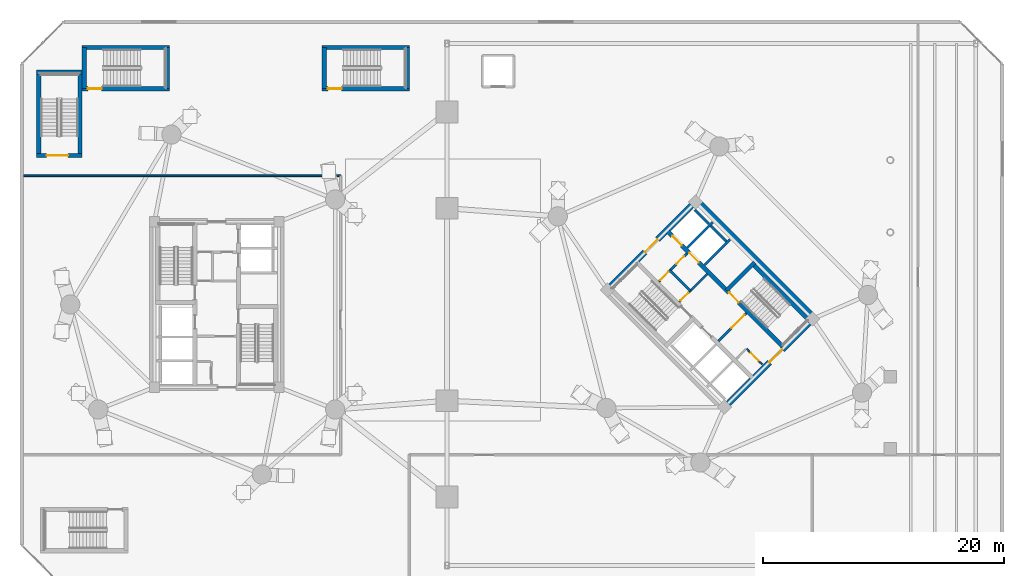
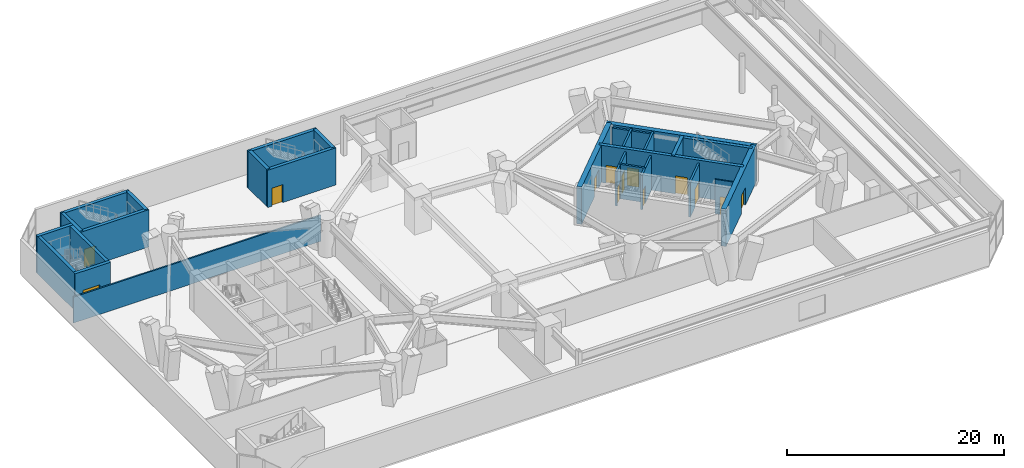
# One storey, part 13 of 20: 28 walls, 13 doors, 13 openings.
"""IFC4 building model written with IfcOpenShell, lengths in metres."""

from ifc_helpers import new_model, si_unit, direction, frame, frame_2d, origin, place, context, subcontext, project, spatial, rectangle, extrude, source, transform, mapped, material, layer, layer_set, type_object, element, fill, save


model = new_model("IFC4")

# Units and contexts
model_context = context("Model", 3, precision=1e-05, world=origin(), true_north=direction((0.0, 1.0)))
body_context = subcontext(model_context, "Body", "Model", "MODEL_VIEW")
ifc_project = project(units=[si_unit("LENGTHUNIT", "METRE"), si_unit("AREAUNIT", "SQUARE_METRE"), si_unit("VOLUMEUNIT", "CUBIC_METRE"), si_unit("PLANEANGLEUNIT", "RADIAN"), si_unit("MASSUNIT", "GRAM", prefix="KILO")], contexts=[model_context])

# Site, building, storey
site_placement = place(None, origin())
site = spatial("IfcSite", under=ifc_project, at=site_placement, CompositionType="ELEMENT")
building_placement = place(site_placement, origin())
building = spatial("IfcBuilding", under=site, at=building_placement, Name="Cununo Teusaquillo Station Towers", CompositionType="ELEMENT")
storey_placement = place(building_placement, frame((0.0, 0.0, 4.800048828125)))
storey = spatial("IfcBuildingStorey", under=building, at=storey_placement, Name="L01", CompositionType="ELEMENT", Elevation=4.800048828125)

# Walls
ifc_material_1 = material(Name="Concrete C50/60", Category="concrete")
ifc_layer_1 = layer(ifc_material_1, 0.199951171875)
ifc_layer_set_1 = layer_set([ifc_layer_1], Name="Concrete C50/60")
wall_type_1 = type_object("IfcWallType", Name="WL-CORE-200", PredefinedType="SHEAR", material=ifc_layer_set_1)
wall_1_placement = place(storey_placement, frame((57.0615234375, 27.781005859375, 0.0), z_axis=(0.0, 0.0, 1.0), x_axis=(0.707106781187, 0.707106781187, 0.0)))
element("IfcWall", 1, at=wall_1_placement, inside=storey, type_object=wall_type_1, Name="L01 Tower B Low-Rise Lift Hoistway South Shear Wall", PredefinedType="SHEAR", context=body_context, shape_type="SweptSolid", body=[
    extrude(rectangle(XDim=2.969970703125, YDim=0.199951171875, at=frame_2d((1.48486328125, 0.0))), origin(), (0.0, 0.0, 1.0), 4.199951171875),
])
wall_2_placement = place(storey_placement, frame((55.615478515625, 29.22705078125, 0.0), z_axis=(0.0, 0.0, 1.0), x_axis=(0.707147878904, 0.70706568108, 0.0)))
element("IfcWall", 2, at=wall_2_placement, inside=storey, type_object=wall_type_1, Name="L01 Tower B Low-Rise Lift Hoistway Divider Shear Wall", PredefinedType="SHEAR", context=body_context, shape_type="SweptSolid", body=[
    extrude(rectangle(XDim=2.97021484375, YDim=0.199951171875, at=frame_2d((1.485107421875, 0.0))), origin(), (0.0, 0.0, 1.0), 4.199951171875),
])
wall_3_placement = place(storey_placement, frame((58.86474609375, 29.75390625, 0.0), z_axis=(0.0, 0.0, 1.0), x_axis=(-0.707174411312, 0.707039144592, 0.0)))
element("IfcWall", 3, at=wall_3_placement, inside=storey, type_object=wall_type_1, Name="L01 Tower B Low-Rise Lift 1 Shaft Rear Shear Wall", PredefinedType="SHEAR", context=body_context, shape_type="SweptSolid", body=[
    extrude(rectangle(XDim=1.804931640625, YDim=0.199951171875, at=frame_2d((0.90234375, 0.0))), origin(), (0.0, 0.0, 1.0), 4.199951171875),
])
wall_4_placement = place(storey_placement, frame((57.418701171875, 31.19970703125, 0.0), z_axis=(0.0, 0.0, 1.0), x_axis=(-0.707032117043, 0.707181437447, 0.0)))
element("IfcWall", 4, at=wall_4_placement, inside=storey, type_object=wall_type_1, Name="L01 Tower B Low-Rise Lift 2 Shaft Rear Shear Wall", PredefinedType="SHEAR", context=body_context, shape_type="SweptSolid", body=[
    extrude(rectangle(XDim=1.635009765625, YDim=0.199951171875, at=frame_2d((0.8173828125, 0.0))), origin(), (0.0, 0.0, 1.0), 4.199951171875),
])

# Wall, opening, door
ifc_material_2 = material(Name="Concrete C50/60", Category="concrete")
ifc_layer_2 = layer(ifc_material_2, 0.35009765625)
ifc_layer_set_2 = layer_set([ifc_layer_2], Name="Concrete C50/60")
wall_type_2 = type_object("IfcWallType", Name="WL-CORE-350", PredefinedType="SHEAR", material=ifc_layer_set_2)
wall_5_placement = place(storey_placement, frame((25.260009765625, 42.43505859375, 0.0), z_axis=(0.0, 0.0, 1.0), x_axis=(1.0, 0.0, 0.0)))
wall_5 = element("IfcWall", 5, at=wall_5_placement, inside=storey, type_object=wall_type_2, Name="L01 Podium North Exit Stair Concrete Shaft Wall S", PredefinedType="SHEAR", context=body_context, shape_type="SweptSolid", body=[
    extrude(rectangle(XDim=7.280029296875, YDim=0.35009765625, at=frame_2d((3.64013671875, 0.0))), origin(), (0.0, 0.0, 1.0), 4.199951171875),
])
shared_shape_1 = source(origin(), body_context, "Body", "SweptSolid", [
    extrude(rectangle(XDim=1.14990234375, YDim=2.02001953125, at=frame_2d((0.574951171875, 1.010009765625))), frame((0.0, 0.18505859375, 0.0), z_axis=(0.0, -1.0, 0.0), x_axis=(1.0, 0.0, 0.0)), (0.0, 0.0, 1.0), 0.3701171875),
])
opening_1_placement = place(wall_5_placement, frame((0.47998046875, 0.0, 0.0)))
opening_1 = element("IfcOpeningElement", 6, at=opening_1_placement, cuts=wall_5, Name="Opening D-ST1", PredefinedType="OPENING", context=body_context, shape_type="MappedRepresentation", body=[
    mapped(shared_shape_1, transform((0.0, 0.0, 0.0), x_axis=(1.0, 0.0, 0.0), y_axis=(0.0, 1.0, 0.0), z_axis=(0.0, 0.0, 1.0), scale=1.0)),
])
ifc_material_3 = material(Name="Galvanised fire-rated hollow steel door assembly", Category="steel")
door_type_1 = type_object("IfcDoorType", Name="DR-STAIR-1150", OperationType="NOTDEFINED", PredefinedType="DOOR", material=ifc_material_3)
shared_shape_2 = source(origin(), body_context, "Body", "SweptSolid", [
    extrude(rectangle(XDim=1.14990234375, YDim=2.02001953125, at=frame_2d((0.574951171875, 1.010009765625))), frame((0.0, 0.02490234375, 0.0), z_axis=(0.0, -1.0, 0.0), x_axis=(1.0, 0.0, 0.0)), (0.0, 0.0, 1.0), 0.050048828125),
])
door_1_placement = place(opening_1_placement, origin())
door_1 = element("IfcDoor", 7, at=door_1_placement, inside=storey, type_object=door_type_1, Name="L01 North Podium Exit Stair Door", OperationType="SINGLE_SWING_LEFT", OverallHeight=2.02001953125, OverallWidth=1.14990234375, PredefinedType="DOOR", context=body_context, shape_type="MappedRepresentation", body=[
    mapped(shared_shape_2, transform((0.0, 0.0, 0.0), x_axis=(1.0, 0.0, 0.0), y_axis=(0.0, 1.0, 0.0), z_axis=(0.0, 0.0, 1.0), scale=1.0)),
])
fill(opening_1, door_1)

# Walls
wall_6_placement = place(storey_placement, frame((25.260009765625, 45.864990234375, 0.0), z_axis=(0.0, 0.0, 1.0), x_axis=(1.0, 0.0, 0.0)))
element("IfcWall", 8, at=wall_6_placement, inside=storey, type_object=wall_type_2, Name="L01 Podium North Exit Stair Concrete Shaft Wall N", PredefinedType="SHEAR", context=body_context, shape_type="SweptSolid", body=[
    extrude(rectangle(XDim=7.280029296875, YDim=0.35009765625, at=frame_2d((3.64013671875, 0.0))), origin(), (0.0, 0.0, 1.0), 4.199951171875),
])
for number, where, z_axis, x_axis, name in (
    (9, (25.43505859375, 42.43505859375, 0.0), (0.0, 0.0, 1.0), (0.0, 1.0, 0.0), "L01 Podium North Exit Stair Concrete Shaft Wall W"),
    (10, (32.364990234375, 42.43505859375, 0.0), (0.0, 0.0, 1.0), (0.0, 1.0, 0.0), "L01 Podium North Exit Stair Concrete Shaft Wall E"),
):
    element("IfcWall", number, at=place(storey_placement, frame(where, z_axis=z_axis, x_axis=x_axis)), inside=storey, type_object=wall_type_2, Name=name, PredefinedType="SHEAR", context=body_context, shape_type="SweptSolid", body=[
        extrude(rectangle(XDim=3.429931640625, YDim=0.35009765625, at=frame_2d((1.71484375, 0.0))), origin(), (0.0, 0.0, 1.0), 4.199951171875),
    ])

# Wall, opening, door
wall_7_placement = place(storey_placement, frame((1.5400390625, 36.885009765625, 0.0), z_axis=(0.0, 0.0, 1.0), x_axis=(1.0, 0.0, 0.0)))
wall_7 = element("IfcWall", 11, at=wall_7_placement, inside=storey, type_object=wall_type_2, Name="L01 Podium West Exit Stair Concrete Shaft Wall S", PredefinedType="SHEAR", context=body_context, shape_type="SweptSolid", body=[
    extrude(rectangle(XDim=3.780029296875, YDim=0.35009765625, at=frame_2d((1.89013671875, 0.0))), origin(), (0.0, 0.0, 1.0), 4.199951171875),
])
shared_shape_3 = source(origin(), body_context, "Body", "SweptSolid", [
    extrude(rectangle(XDim=1.800048828125, YDim=2.050048828125, at=frame_2d((0.89990234375, 1.02490234375))), frame((0.0, 0.18505859375, 0.0), z_axis=(0.0, -1.0, 0.0), x_axis=(1.0, 0.0, 0.0)), (0.0, 0.0, 1.0), 0.3701171875),
])
opening_2_placement = place(wall_7_placement, frame((0.81494140625, 0.0, 0.0)))
opening_2 = element("IfcOpeningElement", 12, at=opening_2_placement, cuts=wall_7, Name="Opening D-BG1", PredefinedType="OPENING", context=body_context, shape_type="MappedRepresentation", body=[
    mapped(shared_shape_3, transform((0.0, 0.0, 0.0), x_axis=(1.0, 0.0, 0.0), y_axis=(0.0, 1.0, 0.0), z_axis=(0.0, 0.0, 1.0), scale=1.0)),
])
ifc_material_4 = material(Name="Galvanised fire-rated hollow steel door assembly", Category="steel")
door_type_2 = type_object("IfcDoorType", Name="DR-BRIDGE-1800", OperationType="DOUBLE_DOOR_SINGLE_SWING", PredefinedType="DOOR", material=ifc_material_4)
shared_shape_4 = source(origin(), body_context, "Body", "SweptSolid", [
    extrude(rectangle(XDim=1.800048828125, YDim=2.050048828125, at=frame_2d((0.89990234375, 1.02490234375))), frame((0.0, 0.02490234375, 0.0), z_axis=(0.0, -1.0, 0.0), x_axis=(1.0, 0.0, 0.0)), (0.0, 0.0, 1.0), 0.050048828125),
])
door_2_placement = place(opening_2_placement, origin())
door_2 = element("IfcDoor", 13, at=door_2_placement, inside=storey, type_object=door_type_2, Name="L01 West Podium Exit Stair Door", OperationType="DOUBLE_DOOR_SINGLE_SWING", OverallHeight=2.050048828125, OverallWidth=1.800048828125, PredefinedType="DOOR", context=body_context, shape_type="MappedRepresentation", body=[
    mapped(shared_shape_4, transform((0.0, 0.0, 0.0), x_axis=(1.0, 0.0, 0.0), y_axis=(0.0, 1.0, 0.0), z_axis=(0.0, 0.0, 1.0), scale=1.0)),
])
fill(opening_2, door_2)

# Walls
wall_8_placement = place(storey_placement, frame((1.5400390625, 43.81494140625, 0.0), z_axis=(0.0, 0.0, 1.0), x_axis=(1.0, 0.0, 0.0)))
element("IfcWall", 14, at=wall_8_placement, inside=storey, type_object=wall_type_2, Name="L01 Podium West Exit Stair Concrete Shaft Wall N", PredefinedType="SHEAR", context=body_context, shape_type="SweptSolid", body=[
    extrude(rectangle(XDim=3.780029296875, YDim=0.35009765625, at=frame_2d((1.89013671875, 0.0))), origin(), (0.0, 0.0, 1.0), 4.199951171875),
])
for number, where, z_axis, x_axis, name in (
    (15, (1.715087890625, 36.885009765625, 0.0), (0.0, 0.0, 1.0), (0.0, 1.0, 0.0), "L01 Podium West Exit Stair Concrete Shaft Wall W"),
    (16, (5.14501953125, 36.885009765625, 0.0), (0.0, 0.0, 1.0), (0.0, 1.0, 0.0), "L01 Podium West Exit Stair Concrete Shaft Wall E"),
):
    element("IfcWall", number, at=place(storey_placement, frame(where, z_axis=z_axis, x_axis=x_axis)), inside=storey, type_object=wall_type_2, Name=name, PredefinedType="SHEAR", context=body_context, shape_type="SweptSolid", body=[
        extrude(rectangle(XDim=6.929931640625, YDim=0.35009765625, at=frame_2d((3.46484375, 0.0))), origin(), (0.0, 0.0, 1.0), 4.199951171875),
    ])

# Wall, opening, door
wall_9_placement = place(storey_placement, frame((5.31005859375, 42.43505859375, 0.0), z_axis=(0.0, 0.0, 1.0), x_axis=(1.0, 0.0, 0.0)))
wall_9 = element("IfcWall", 17, at=wall_9_placement, inside=storey, type_object=wall_type_2, Name="L01 Podium North-West Exit Stair Concrete Shaft Wall S", PredefinedType="SHEAR", context=body_context, shape_type="SweptSolid", body=[
    extrude(rectangle(XDim=7.280029296875, YDim=0.35009765625, at=frame_2d((3.64013671875, 0.0))), origin(), (0.0, 0.0, 1.0), 4.199951171875),
])
opening_3_placement = place(wall_9_placement, frame((0.47998046875, 0.0, 0.0)))
opening_3 = element("IfcOpeningElement", 18, at=opening_3_placement, cuts=wall_9, Name="Opening D-ST1", PredefinedType="OPENING", context=body_context, shape_type="MappedRepresentation", body=[
    mapped(shared_shape_1, transform((0.0, 0.0, 0.0), x_axis=(1.0, 0.0, 0.0), y_axis=(0.0, 1.0, 0.0), z_axis=(0.0, 0.0, 1.0), scale=1.0)),
])
door_3_placement = place(opening_3_placement, origin())
door_3 = element("IfcDoor", 19, at=door_3_placement, inside=storey, type_object=door_type_1, Name="L01 North-West Podium Exit Stair Door", OperationType="SINGLE_SWING_LEFT", OverallHeight=2.02001953125, OverallWidth=1.14990234375, PredefinedType="DOOR", context=body_context, shape_type="MappedRepresentation", body=[
    mapped(shared_shape_2, transform((0.0, 0.0, 0.0), x_axis=(1.0, 0.0, 0.0), y_axis=(0.0, 1.0, 0.0), z_axis=(0.0, 0.0, 1.0), scale=1.0)),
])
fill(opening_3, door_3)

# Walls
wall_10_placement = place(storey_placement, frame((5.31005859375, 45.864990234375, 0.0), z_axis=(0.0, 0.0, 1.0), x_axis=(1.0, 0.0, 0.0)))
element("IfcWall", 20, at=wall_10_placement, inside=storey, type_object=wall_type_2, Name="L01 Podium North-West Exit Stair Concrete Shaft Wall N", PredefinedType="SHEAR", context=body_context, shape_type="SweptSolid", body=[
    extrude(rectangle(XDim=7.280029296875, YDim=0.35009765625, at=frame_2d((3.64013671875, 0.0))), origin(), (0.0, 0.0, 1.0), 4.199951171875),
])
for number, where, z_axis, x_axis, name in (
    (21, (5.485107421875, 42.43505859375, 0.0), (0.0, 0.0, 1.0), (0.0, 1.0, 0.0), "L01 Podium North-West Exit Stair Concrete Shaft Wall W"),
    (22, (12.4150390625, 42.43505859375, 0.0), (0.0, 0.0, 1.0), (0.0, 1.0, 0.0), "L01 Podium North-West Exit Stair Concrete Shaft Wall E"),
):
    element("IfcWall", number, at=place(storey_placement, frame(where, z_axis=z_axis, x_axis=x_axis)), inside=storey, type_object=wall_type_2, Name=name, PredefinedType="SHEAR", context=body_context, shape_type="SweptSolid", body=[
        extrude(rectangle(XDim=3.429931640625, YDim=0.35009765625, at=frame_2d((1.71484375, 0.0))), origin(), (0.0, 0.0, 1.0), 4.199951171875),
    ])

# Wall, openings, doors
wall_11_placement = place(storey_placement, frame((63.662353515625, 20.904296875, 0.0), z_axis=(0.0, 0.0, 1.0), x_axis=(-0.707106781187, 0.707106781187, 0.0)))
wall_11 = element("IfcWall", 23, at=wall_11_placement, inside=storey, type_object=wall_type_2, Name="L01 Tower B Core Shear Wall IE", PredefinedType="SHEAR", context=body_context, shape_type="SweptSolid", body=[
    extrude(rectangle(XDim=13.800048828125, YDim=0.35009765625, at=frame_2d((6.89990234375, 0.0))), origin(), (0.0, 0.0, 1.0), 4.199951171875),
])
shared_shape_5 = source(origin(), body_context, "Body", "SweptSolid", [
    extrude(rectangle(XDim=1.10009765625, YDim=2.014892578125, at=frame_2d((0.550048828125, 1.00732421875))), frame((0.0, 0.18505859375, 0.0), z_axis=(0.0, -1.0, 0.0), x_axis=(1.0, 0.0, 0.0)), (0.0, 0.0, 1.0), 0.3701171875),
])
opening_4_placement = place(wall_11_placement, frame((10.02490234375, 0.0, 0.0)))
opening_4 = element("IfcOpeningElement", 24, at=opening_4_placement, cuts=wall_11, Name="Opening LD-01", PredefinedType="OPENING", context=body_context, shape_type="MappedRepresentation", body=[
    mapped(shared_shape_5, transform((0.0, 0.0, 0.0), x_axis=(1.0, 0.0, 0.0), y_axis=(0.0, 1.0, 0.0), z_axis=(0.0, 0.0, 1.0), scale=1.0)),
])
opening_5_placement = place(wall_11_placement, frame((12.02490234375, 0.0, 0.0)))
opening_5 = element("IfcOpeningElement", 25, at=opening_5_placement, cuts=wall_11, Name="Opening LD-01", PredefinedType="OPENING", context=body_context, shape_type="MappedRepresentation", body=[
    mapped(shared_shape_5, transform((0.0, 0.0, 0.0), x_axis=(1.0, 0.0, 0.0), y_axis=(0.0, 1.0, 0.0), z_axis=(0.0, 0.0, 1.0), scale=1.0)),
])
opening_6_placement = place(wall_11_placement, frame((5.330078125, 0.0, 0.0)))
opening_6 = element("IfcOpeningElement", 26, at=opening_6_placement, cuts=wall_11, Name="Opening D-ST1", PredefinedType="OPENING", context=body_context, shape_type="MappedRepresentation", body=[
    mapped(shared_shape_1, transform((0.0, 0.0, 0.0), x_axis=(1.0, 0.0, 0.0), y_axis=(0.0, 1.0, 0.0), z_axis=(0.0, 0.0, 1.0), scale=1.0)),
])
ifc_material_5 = material(Name="Galvanised fire-rated hollow steel door assembly", Category="steel")
door_type_3 = type_object("IfcDoorType", Name="DR-LIFT-1100", OperationType="SLIDING_TO_LEFT", PredefinedType="DOOR", material=ifc_material_5)
shared_shape_6 = source(origin(), body_context, "Body", "SweptSolid", [
    extrude(rectangle(XDim=1.10009765625, YDim=2.014892578125, at=frame_2d((0.550048828125, 1.00732421875))), frame((0.0, 0.02490234375, 0.0), z_axis=(0.0, -1.0, 0.0), x_axis=(1.0, 0.0, 0.0)), (0.0, 0.0, 1.0), 0.050048828125),
])
door_4_placement = place(opening_4_placement, origin())
door_4 = element("IfcDoor", 27, at=door_4_placement, inside=storey, type_object=door_type_3, Name="L01 Lift PL-T2-L1 Sliding Landing Door", OperationType="SLIDING_TO_RIGHT", OverallHeight=2.014892578125, OverallWidth=1.10009765625, PredefinedType="DOOR", context=body_context, shape_type="MappedRepresentation", body=[
    mapped(shared_shape_6, transform((0.0, 0.0, 0.0), x_axis=(1.0, 0.0, 0.0), y_axis=(0.0, 1.0, 0.0), z_axis=(0.0, 0.0, 1.0), scale=1.0)),
])
fill(opening_4, door_4)
door_5_placement = place(opening_5_placement, origin())
door_5 = element("IfcDoor", 28, at=door_5_placement, inside=storey, type_object=door_type_3, Name="L01 Lift PL-T2-L2 Sliding Landing Door", OperationType="SLIDING_TO_LEFT", OverallHeight=2.014892578125, OverallWidth=1.10009765625, PredefinedType="DOOR", context=body_context, shape_type="MappedRepresentation", body=[
    mapped(shared_shape_6, transform((0.0, 0.0, 0.0), x_axis=(1.0, 0.0, 0.0), y_axis=(0.0, 1.0, 0.0), z_axis=(0.0, 0.0, 1.0), scale=1.0)),
])
fill(opening_5, door_5)
door_6_placement = place(opening_6_placement, origin())
door_6 = element("IfcDoor", 29, at=door_6_placement, inside=storey, type_object=door_type_1, Name="L01 Tower B Exit Stair 2 Fire Door", OperationType="SINGLE_SWING_RIGHT", OverallHeight=2.02001953125, OverallWidth=1.14990234375, PredefinedType="DOOR", context=body_context, shape_type="MappedRepresentation", body=[
    mapped(shared_shape_2, transform((0.0, 0.0, 0.0), x_axis=(1.0, 0.0, 0.0), y_axis=(0.0, 1.0, 0.0), z_axis=(0.0, 0.0, 1.0), scale=1.0)),
])
fill(opening_6, door_6)

# Walls
wall_12_placement = place(storey_placement, frame((65.847412109375, 23.08935546875, 0.0), z_axis=(0.0, 0.0, 1.0), x_axis=(-0.707106781187, 0.707106781187, 0.0)))
element("IfcWall", 30, at=wall_12_placement, inside=storey, type_object=wall_type_2, Name="L01 Tower B Core Shear Wall ST2E", PredefinedType="SHEAR", context=body_context, shape_type="SweptSolid", body=[
    extrude(rectangle(XDim=6.7451171875, YDim=0.35009765625, at=frame_2d((3.37255859375, 0.0))), origin(), (0.0, 0.0, 1.0), 4.199951171875),
])
wall_13_placement = place(storey_placement, frame((58.89306640625, 25.673828125, 0.0), z_axis=(0.0, 0.0, 1.0), x_axis=(0.707106781187, 0.707106781187, 0.0)))
element("IfcWall", 31, at=wall_13_placement, inside=storey, type_object=wall_type_2, Name="L01 Tower B Core Shear Wall ST2N", PredefinedType="SHEAR", context=body_context, shape_type="SweptSolid", body=[
    extrude(rectangle(XDim=3.284912109375, YDim=0.35009765625, at=frame_2d((1.642578125, 0.0))), origin(), (0.0, 0.0, 1.0), 4.199951171875),
])
ifc_material_6 = material(Name="Concrete C60/75", Category="concrete")
ifc_layer_3 = layer(ifc_material_6, 0.5)
ifc_layer_set_3 = layer_set([ifc_layer_3], Name="Concrete C60/75")
wall_type_3 = type_object("IfcWallType", Name="WL-CORE-500", PredefinedType="SHEAR", material=ifc_layer_set_3)
wall_14_placement = place(storey_placement, frame((66.3388671875, 23.227294921875, 0.0), z_axis=(0.0, 0.0, 1.0), x_axis=(-0.707106781187, 0.707106781187, 0.0)))
element("IfcWall", 32, at=wall_14_placement, inside=storey, type_object=wall_type_3, Name="L01 Tower B Core Shear Wall E", PredefinedType="SHEAR", context=body_context, shape_type="SweptSolid", body=[
    extrude(rectangle(XDim=14.2998046875, YDim=0.5, at=frame_2d((7.14990234375, 0.0))), origin(), (0.0, 0.0, 1.0), 4.199951171875),
])

# Wall, opening, door
wall_15_placement = place(storey_placement, frame((58.595947265625, 15.837890625, 0.0), z_axis=(0.0, 0.0, 1.0), x_axis=(0.707106781187, 0.707106781187, 0.0)))
wall_15 = element("IfcWall", 33, at=wall_15_placement, inside=storey, type_object=wall_type_3, Name="L01 Tower B Core Shear Wall S", PredefinedType="SHEAR", context=body_context, shape_type="SweptSolid", body=[
    extrude(rectangle(XDim=10.7001953125, YDim=0.5, at=frame_2d((5.35009765625, 0.0))), origin(), (0.0, 0.0, 1.0), 4.199951171875),
])
shared_shape_7 = source(origin(), body_context, "Body", "SweptSolid", [
    extrude(rectangle(XDim=1.5, YDim=2.02001953125, at=frame_2d((0.75, 1.010009765625))), frame((0.0, 0.260009765625, 0.0), z_axis=(0.0, -1.0, 0.0), x_axis=(1.0, 0.0, 0.0)), (0.0, 0.0, 1.0), 0.52001953125),
])
opening_7_placement = place(wall_15_placement, frame((5.449951171875, 0.0, 0.0)))
opening_7 = element("IfcOpeningElement", 34, at=opening_7_placement, cuts=wall_15, Name="Opening D-LB1", PredefinedType="OPENING", context=body_context, shape_type="MappedRepresentation", body=[
    mapped(shared_shape_7, transform((0.0, 0.0, 0.0), x_axis=(1.0, 0.0, 0.0), y_axis=(0.0, 1.0, 0.0), z_axis=(0.0, 0.0, 1.0), scale=1.0)),
])
ifc_material_7 = material(Name="Galvanised fire-rated hollow steel door assembly", Category="steel")
door_type_4 = type_object("IfcDoorType", Name="DR-LOBBY-1500", OperationType="DOUBLE_DOOR_SINGLE_SWING", PredefinedType="DOOR", material=ifc_material_7)
shared_shape_8 = source(origin(), body_context, "Body", "SweptSolid", [
    extrude(rectangle(XDim=1.5, YDim=2.02001953125, at=frame_2d((0.75, 1.010009765625))), frame((0.0, 0.02490234375, 0.0), z_axis=(0.0, -1.0, 0.0), x_axis=(1.0, 0.0, 0.0)), (0.0, 0.0, 1.0), 0.050048828125),
])
door_7_placement = place(opening_7_placement, origin())
door_7 = element("IfcDoor", 35, at=door_7_placement, inside=storey, type_object=door_type_4, Name="L01 Tower B South Core Lift Lobby Door", OperationType="DOUBLE_DOOR_SINGLE_SWING", OverallHeight=2.02001953125, OverallWidth=1.5, PredefinedType="DOOR", context=body_context, shape_type="MappedRepresentation", body=[
    mapped(shared_shape_8, transform((0.0, 0.0, 0.0), x_axis=(1.0, 0.0, 0.0), y_axis=(0.0, 1.0, 0.0), z_axis=(0.0, 0.0, 1.0), scale=1.0)),
])
fill(opening_7, door_7)

wall_16_placement = place(storey_placement, frame((48.837890625, 25.595947265625, 0.0), z_axis=(0.0, 0.0, 1.0), x_axis=(0.707106781187, 0.707106781187, 0.0)))
wall_16 = element("IfcWall", 36, at=wall_16_placement, inside=storey, type_object=wall_type_3, Name="L01 Tower B Core Shear Wall N", PredefinedType="SHEAR", context=body_context, shape_type="SweptSolid", body=[
    extrude(rectangle(XDim=10.7001953125, YDim=0.5, at=frame_2d((5.35009765625, 0.0))), origin(), (0.0, 0.0, 1.0), 4.199951171875),
])
opening_8_placement = place(wall_16_placement, frame((4.60009765625, 0.0, 0.0)))
opening_8 = element("IfcOpeningElement", 37, at=opening_8_placement, cuts=wall_16, Name="Opening D-LB1", PredefinedType="OPENING", context=body_context, shape_type="MappedRepresentation", body=[
    mapped(shared_shape_7, transform((0.0, 0.0, 0.0), x_axis=(1.0, 0.0, 0.0), y_axis=(0.0, 1.0, 0.0), z_axis=(0.0, 0.0, 1.0), scale=1.0)),
])
door_8_placement = place(opening_8_placement, origin())
door_8 = element("IfcDoor", 38, at=door_8_placement, inside=storey, type_object=door_type_4, Name="L01 Tower B North Core Lift Lobby Door", OperationType="DOUBLE_DOOR_SINGLE_SWING", OverallHeight=2.02001953125, OverallWidth=1.5, PredefinedType="DOOR", context=body_context, shape_type="MappedRepresentation", body=[
    mapped(shared_shape_8, transform((0.0, 0.0, 0.0), x_axis=(1.0, 0.0, 0.0), y_axis=(0.0, 1.0, 0.0), z_axis=(0.0, 0.0, 1.0), scale=1.0)),
])
fill(opening_8, door_8)

ifc_material_8 = material(Name="Fire-rated gypsum plasterboard partition assembly", Category="gypsum")
ifc_layer_4 = layer(ifc_material_8, 0.125)
ifc_layer_set_4 = layer_set([ifc_layer_4], Name="Fire-rated gypsum plasterboard partition assembly")
wall_type_4 = type_object("IfcWallType", Name="WL-PART-125", PredefinedType="PARTITIONING", material=ifc_layer_set_4)
wall_17_placement = place(storey_placement, frame((61.834716796875, 19.529052734375, 0.0), z_axis=(0.0, 0.0, 1.0), x_axis=(-0.707174592913, 0.707038962956, 0.0)))
wall_17 = element("IfcWall", 39, at=wall_17_placement, inside=storey, type_object=wall_type_4, Name="L01 Tower B South-West Compact Store East Wall", PredefinedType="PARTITIONING", context=body_context, shape_type="SweptSolid", body=[
    extrude(rectangle(XDim=1.800048828125, YDim=0.125, at=frame_2d((0.89990234375, 0.0))), origin(), (0.0, 0.0, 1.0), 3.885009765625),
])
shared_shape_9 = source(origin(), body_context, "Body", "SweptSolid", [
    extrude(rectangle(XDim=0.89990234375, YDim=2.0048828125, at=frame_2d((0.449951171875, 1.00244140625))), frame((0.0, 0.072509765625, 0.0), z_axis=(0.0, -1.0, 0.0), x_axis=(1.0, 0.0, 0.0)), (0.0, 0.0, 1.0), 0.14501953125),
])
opening_9_placement = place(wall_17_placement, frame((0.419921875, 0.0, 0.0)))
opening_9 = element("IfcOpeningElement", 40, at=opening_9_placement, cuts=wall_17, Name="Opening D-SR1", PredefinedType="OPENING", context=body_context, shape_type="MappedRepresentation", body=[
    mapped(shared_shape_9, transform((0.0, 0.0, 0.0), x_axis=(1.0, 0.0, 0.0), y_axis=(0.0, 1.0, 0.0), z_axis=(0.0, 0.0, 1.0), scale=1.0)),
])
ifc_material_9 = material(Name="Galvanised fire-rated hollow steel door assembly", Category="steel")
door_type_5 = type_object("IfcDoorType", Name="DR-STORE-900", OperationType="NOTDEFINED", PredefinedType="DOOR", material=ifc_material_9)
shared_shape_10 = source(origin(), body_context, "Body", "SweptSolid", [
    extrude(rectangle(XDim=0.89990234375, YDim=2.0048828125, at=frame_2d((0.449951171875, 1.00244140625))), frame((0.0, 0.02490234375, 0.0), z_axis=(0.0, -1.0, 0.0), x_axis=(1.0, 0.0, 0.0)), (0.0, 0.0, 1.0), 0.050048828125),
])
door_9_placement = place(opening_9_placement, origin())
door_9 = element("IfcDoor", 41, at=door_9_placement, inside=storey, type_object=door_type_5, Name="L01 Tower B Core Electrical & Comms Store Door", OperationType="SINGLE_SWING_LEFT", OverallHeight=2.0048828125, OverallWidth=0.89990234375, PredefinedType="DOOR", context=body_context, shape_type="MappedRepresentation", body=[
    mapped(shared_shape_10, transform((0.0, 0.0, 0.0), x_axis=(1.0, 0.0, 0.0), y_axis=(0.0, 1.0, 0.0), z_axis=(0.0, 0.0, 1.0), scale=1.0)),
])
fill(opening_9, door_9)

# Wall
ifc_material_10 = material(Name="Fire-rated gypsum plasterboard partition assembly", Category="gypsum")
ifc_layer_5 = layer(ifc_material_10, 0.159912109375)
ifc_layer_set_5 = layer_set([ifc_layer_5], Name="Fire-rated gypsum plasterboard partition assembly")
wall_type_5 = type_object("IfcWallType", Name="WL-PART-160", PredefinedType="PARTITIONING", material=ifc_layer_set_5)
wall_18_placement = place(storey_placement, frame((0.449951171875, 35.199951171875, 0.0), z_axis=(0.0, 0.0, 1.0), x_axis=(1.0, 0.0, 0.0)))
element("IfcWall", 42, at=wall_18_placement, inside=storey, type_object=wall_type_5, Name="L01 West Wing North Wall", PredefinedType="PARTITIONING", context=body_context, shape_type="SweptSolid", body=[
    extrude(rectangle(XDim=26.35009765625, YDim=0.159912109375, at=frame_2d((13.175048828125, 0.0))), origin(), (0.0, 0.0, 1.0), 2.928955078125),
])

# Wall, opening, door
ifc_material_11 = material(Name="Fire-rated gypsum plasterboard partition assembly", Category="gypsum")
ifc_layer_6 = layer(ifc_material_11, 0.199951171875)
ifc_layer_set_6 = layer_set([ifc_layer_6], Name="Fire-rated gypsum plasterboard partition assembly")
wall_type_6 = type_object("IfcWallType", Name="WL-PART-200", PredefinedType="PARTITIONING", material=ifc_layer_set_6)
wall_19_placement = place(storey_placement, frame((58.214111328125, 21.466552734375, 0.0), z_axis=(0.0, 0.0, 1.0), x_axis=(0.707106781187, 0.707106781187, 0.0)))
wall_19 = element("IfcWall", 43, at=wall_19_placement, inside=storey, type_object=wall_type_6, Name="L01 Tower B Firefighting Lift Lobby South Fire Wall", PredefinedType="PARTITIONING", context=body_context, shape_type="SweptSolid", body=[
    extrude(rectangle(XDim=3.280029296875, YDim=0.199951171875, at=frame_2d((1.64013671875, 0.0))), origin(), (0.0, 0.0, 1.0), 3.885009765625),
])
shared_shape_11 = source(origin(), body_context, "Body", "SweptSolid", [
    extrude(rectangle(XDim=1.5, YDim=2.02001953125, at=frame_2d((0.75, 1.010009765625))), frame((0.0, 0.10986328125, 0.0), z_axis=(0.0, -1.0, 0.0), x_axis=(1.0, 0.0, 0.0)), (0.0, 0.0, 1.0), 0.219970703125),
])
opening_10_placement = place(wall_19_placement, frame((1.550048828125, 0.0, 0.0)))
opening_10 = element("IfcOpeningElement", 44, at=opening_10_placement, cuts=wall_19, Name="Opening D-LB1", PredefinedType="OPENING", context=body_context, shape_type="MappedRepresentation", body=[
    mapped(shared_shape_11, transform((0.0, 0.0, 0.0), x_axis=(1.0, 0.0, 0.0), y_axis=(0.0, 1.0, 0.0), z_axis=(0.0, 0.0, 1.0), scale=1.0)),
])
door_10_placement = place(opening_10_placement, origin())
door_10 = element("IfcDoor", 45, at=door_10_placement, inside=storey, type_object=door_type_4, Name="L01 Tower B Firefighting Lift Lobby South Fire Door", OperationType="DOUBLE_DOOR_SINGLE_SWING", OverallHeight=2.02001953125, OverallWidth=1.5, PredefinedType="DOOR", context=body_context, shape_type="MappedRepresentation", body=[
    mapped(shared_shape_8, transform((0.0, 0.0, 0.0), x_axis=(1.0, 0.0, 0.0), y_axis=(0.0, 1.0, 0.0), z_axis=(0.0, 0.0, 1.0), scale=1.0)),
])
fill(opening_10, door_10)

wall_20_placement = place(storey_placement, frame((54.96142578125, 24.71923828125, 0.0), z_axis=(0.0, 0.0, 1.0), x_axis=(0.707106781187, 0.707106781187, 0.0)))
wall_20 = element("IfcWall", 46, at=wall_20_placement, inside=storey, type_object=wall_type_6, Name="L01 Tower B Firefighting Lift Lobby North Fire Wall", PredefinedType="PARTITIONING", context=body_context, shape_type="SweptSolid", body=[
    extrude(rectangle(XDim=3.280029296875, YDim=0.199951171875, at=frame_2d((1.64013671875, 0.0))), origin(), (0.0, 0.0, 1.0), 3.885009765625),
])
shared_shape_12 = source(origin(), body_context, "Body", "SweptSolid", [
    extrude(rectangle(XDim=0.89990234375, YDim=2.0048828125, at=frame_2d((0.449951171875, 1.00244140625))), frame((0.0, 0.10986328125, 0.0), z_axis=(0.0, -1.0, 0.0), x_axis=(1.0, 0.0, 0.0)), (0.0, 0.0, 1.0), 0.219970703125),
])
opening_11_placement = place(wall_20_placement, frame((0.159912109375, 0.0, 0.0)))
opening_11 = element("IfcOpeningElement", 47, at=opening_11_placement, cuts=wall_20, Name="Opening D-SR1", PredefinedType="OPENING", context=body_context, shape_type="MappedRepresentation", body=[
    mapped(shared_shape_12, transform((0.0, 0.0, 0.0), x_axis=(1.0, 0.0, 0.0), y_axis=(0.0, 1.0, 0.0), z_axis=(0.0, 0.0, 1.0), scale=1.0)),
])
door_11_placement = place(opening_11_placement, origin())
door_11 = element("IfcDoor", 48, at=door_11_placement, inside=storey, type_object=door_type_5, Name="L01 Tower B Stair 1 Protected Vestibule South Door", OperationType="SINGLE_SWING_LEFT", OverallHeight=2.0048828125, OverallWidth=0.89990234375, PredefinedType="DOOR", context=body_context, shape_type="MappedRepresentation", body=[
    mapped(shared_shape_10, transform((0.0, 0.0, 0.0), x_axis=(1.0, 0.0, 0.0), y_axis=(0.0, 1.0, 0.0), z_axis=(0.0, 0.0, 1.0), scale=1.0)),
])
fill(opening_11, door_11)

# Wall
wall_21_placement = place(storey_placement, frame((55.873779296875, 25.63134765625, 0.0), z_axis=(0.0, 0.0, 1.0), x_axis=(-0.707157639372, 0.707055919343, 0.0)))
element("IfcWall", 49, at=wall_21_placement, inside=storey, type_object=wall_type_6, Name="L01 Tower B Stair 1 Vestibule Partition Wall", PredefinedType="PARTITIONING", context=body_context, shape_type="SweptSolid", body=[
    extrude(rectangle(XDim=2.400146484375, YDim=0.199951171875, at=frame_2d((1.2001953125, 0.0))), origin(), (0.0, 0.0, 1.0), 3.885009765625),
])

# Wall, openings, doors
wall_22_placement = place(storey_placement, frame((53.264404296875, 26.416259765625, 0.0), z_axis=(0.0, 0.0, 1.0), x_axis=(0.707106781187, 0.707106781187, 0.0)))
wall_22 = element("IfcWall", 50, at=wall_22_placement, inside=storey, type_object=wall_type_6, Name="L01 Tower B North Lift Lobby South Fire Wall", PredefinedType="PARTITIONING", context=body_context, shape_type="SweptSolid", body=[
    extrude(rectangle(XDim=3.280029296875, YDim=0.199951171875, at=frame_2d((1.64013671875, 0.0))), origin(), (0.0, 0.0, 1.0), 3.885009765625),
])
shared_shape_13 = source(origin(), body_context, "Body", "SweptSolid", [
    extrude(rectangle(XDim=1.0, YDim=2.014892578125, at=frame_2d((0.5, 1.00732421875))), frame((0.0, 0.10986328125, 0.0), z_axis=(0.0, -1.0, 0.0), x_axis=(1.0, 0.0, 0.0)), (0.0, 0.0, 1.0), 0.219970703125),
])
opening_12_placement = place(wall_22_placement, frame((0.139892578125, 0.0, 0.0)))
opening_12 = element("IfcOpeningElement", 51, at=opening_12_placement, cuts=wall_22, Name="Opening D-AC1", PredefinedType="OPENING", context=body_context, shape_type="MappedRepresentation", body=[
    mapped(shared_shape_13, transform((0.0, 0.0, 0.0), x_axis=(1.0, 0.0, 0.0), y_axis=(0.0, 1.0, 0.0), z_axis=(0.0, 0.0, 1.0), scale=1.0)),
])
opening_13_placement = place(wall_22_placement, frame((2.050048828125, 0.0, 0.0)))
opening_13 = element("IfcOpeningElement", 52, at=opening_13_placement, cuts=wall_22, Name="Opening D-SR1", PredefinedType="OPENING", context=body_context, shape_type="MappedRepresentation", body=[
    mapped(shared_shape_12, transform((0.0, 0.0, 0.0), x_axis=(1.0, 0.0, 0.0), y_axis=(0.0, 1.0, 0.0), z_axis=(0.0, 0.0, 1.0), scale=1.0)),
])
door_12_placement = place(opening_13_placement, origin())
door_12 = element("IfcDoor", 53, at=door_12_placement, inside=storey, type_object=door_type_5, Name="L01 Tower B Core Housekeeping & Linen Store Door", OperationType="SINGLE_SWING_RIGHT", OverallHeight=2.0048828125, OverallWidth=0.89990234375, PredefinedType="DOOR", context=body_context, shape_type="MappedRepresentation", body=[
    mapped(shared_shape_10, transform((0.0, 0.0, 0.0), x_axis=(1.0, 0.0, 0.0), y_axis=(0.0, 1.0, 0.0), z_axis=(0.0, 0.0, 1.0), scale=1.0)),
])
fill(opening_13, door_12)
ifc_material_12 = material(Name="Acoustic solid-core hardwood leaf assembly", Category="wood")
door_type_6 = type_object("IfcDoorType", Name="DR-ACC-1000", OperationType="NOTDEFINED", PredefinedType="DOOR", material=ifc_material_12)
shared_shape_14 = source(origin(), body_context, "Body", "SweptSolid", [
    extrude(rectangle(XDim=1.0, YDim=2.014892578125, at=frame_2d((0.5, 1.00732421875))), frame((0.0, 0.02490234375, 0.0), z_axis=(0.0, -1.0, 0.0), x_axis=(1.0, 0.0, 0.0)), (0.0, 0.0, 1.0), 0.050048828125),
])
door_13_placement = place(opening_12_placement, origin())
door_13 = element("IfcDoor", 54, at=door_13_placement, inside=storey, type_object=door_type_6, Name="L01 Tower B North Lift Lobby to Stair 1 Vestibule Door", OperationType="SINGLE_SWING_RIGHT", OverallHeight=2.014892578125, OverallWidth=1.0, PredefinedType="DOOR", context=body_context, shape_type="MappedRepresentation", body=[
    mapped(shared_shape_14, transform((0.0, 0.0, 0.0), x_axis=(1.0, 0.0, 0.0), y_axis=(0.0, 1.0, 0.0), z_axis=(0.0, 0.0, 1.0), scale=1.0)),
])
fill(opening_12, door_13)

save(model, "model.ifc")
